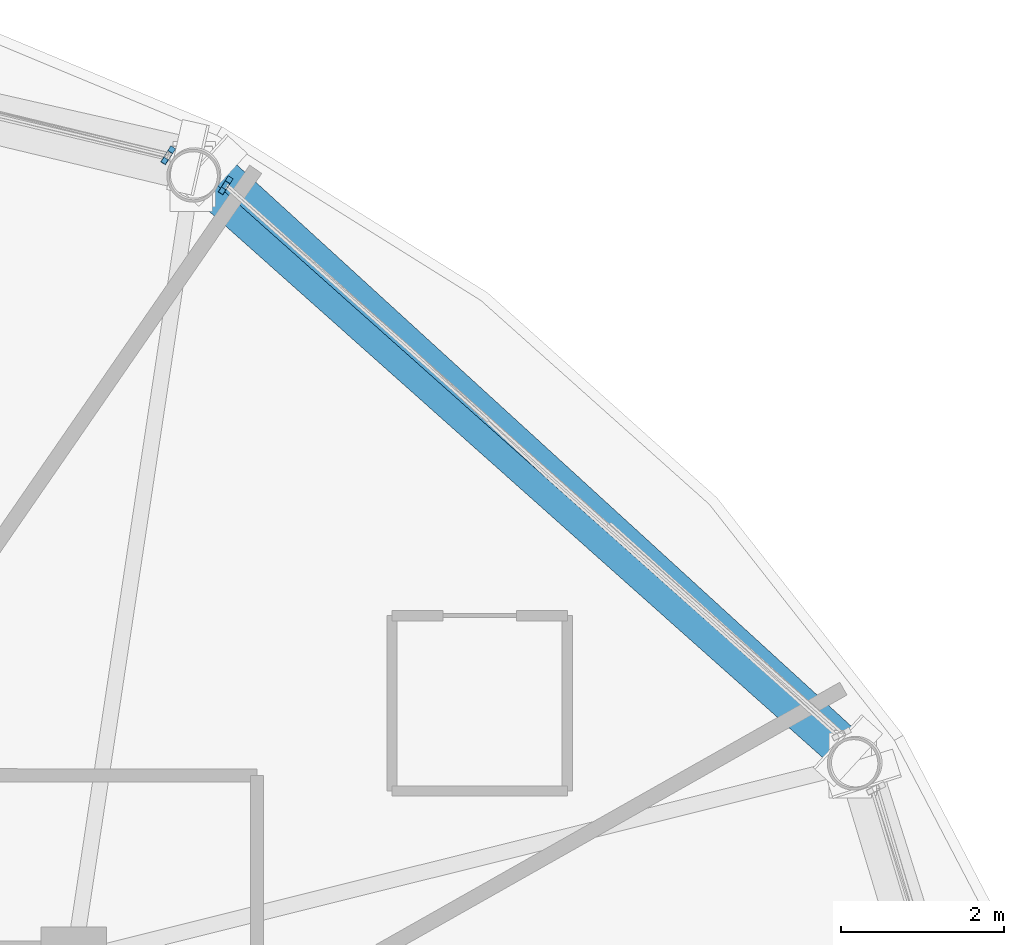
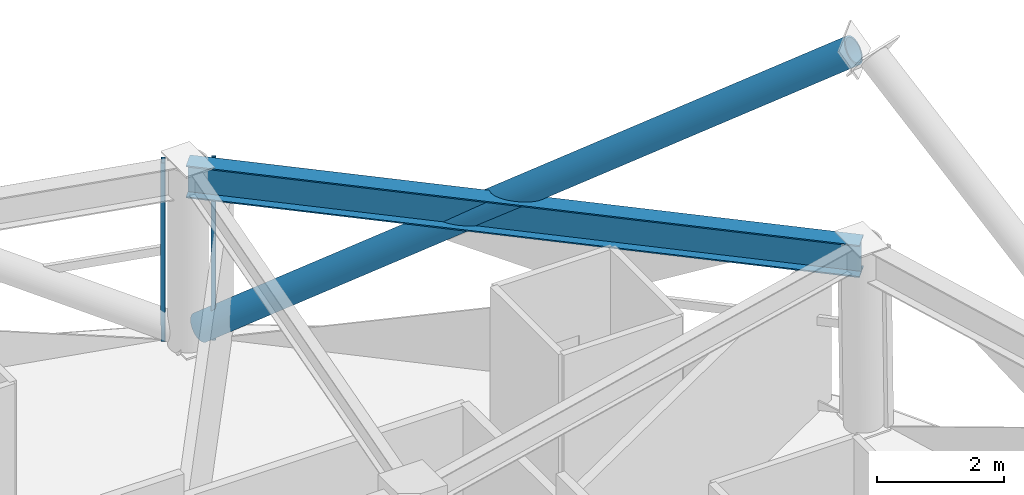
# One storey, part 7 of 18: 3 members, 1 beam, 2 elements without a shape of their own.
"""IFC4 building model written with IfcOpenShell, lengths in metres."""

from ifc_helpers import new_model, si_unit, direction, frame, origin, origin_2d, place, context, subcontext, project, spatial, hollow_rectangle, hollow_circle, i_section, extrude, material, layer, layer_set, material_profile, profile_set, type_object, element, aggregate, save


model = new_model("IFC4")

# Units and contexts
model_context = context("Model", 3, precision=1e-05, world=origin(), true_north=direction((0.0, 1.0)))
body_context = subcontext(model_context, "Body", "Model", "MODEL_VIEW")
ifc_project = project(units=[si_unit("LENGTHUNIT", "METRE"), si_unit("AREAUNIT", "SQUARE_METRE"), si_unit("VOLUMEUNIT", "CUBIC_METRE"), si_unit("PLANEANGLEUNIT", "RADIAN"), si_unit("MASSUNIT", "GRAM", prefix="KILO")], contexts=[model_context])

# Site, building, storey
site_placement = place(None, origin())
site = spatial("IfcSite", under=ifc_project, at=site_placement, CompositionType="ELEMENT")
building_placement = place(site_placement, origin())
building = spatial("IfcBuilding", under=site, at=building_placement, Name="Vantalir Tower", CompositionType="ELEMENT")
storey_placement = place(building_placement, frame((0.0, 0.0, 212.39990234375)))
storey = spatial("IfcBuildingStorey", under=building, at=storey_placement, Name="L53", CompositionType="ELEMENT", Elevation=212.39990234375)

# Beam
ifc_material_1 = material(Name="Steel S460", Category="steel")
ifc_material_profile_1 = material_profile(ifc_material_1, i_section(OverallWidth=0.306884765625, OverallDepth=0.6201171875, WebThickness=0.01416015625, FlangeThickness=0.023681640625, at=origin_2d()), Name="Steel S460")
ifc_profile_set_1 = profile_set([ifc_material_profile_1], Name="Steel S460")
beam_type = type_object("IfcBeamType", Name="BM-RG-610x305", PredefinedType="USERDEFINED", material=ifc_profile_set_1)
beam_placement = place(storey_placement, frame((50.6279296875, 34.830078125, 3.260009765625), z_axis=(-0.746892625531, 0.664944663809, 0.0), x_axis=(-0.664944663809, -0.746892625531, 0.0)))
element("IfcBeam", 1, at=beam_placement, inside=storey, type_object=beam_type, Name="L53 Circumferential Ring Girder 02", ObjectType="GIRDER", PredefinedType="USERDEFINED", context=body_context, shape_type="SweptSolid", body=[
    extrude(i_section(OverallWidth=0.306884765625, OverallDepth=0.6201171875, WebThickness=0.01416015625, FlangeThickness=0.023681640625, at=origin_2d()), origin(), (0.0, 0.0, 1.0), 10.823486328125),
])

# Curtain wall, member
ifc_material_2 = material(Name="Champagne-silver PVDF aluminium and double-silver Low-E glass", Category="aluminium")
ifc_layer = layer(ifc_material_2, 0.2099609375)
ifc_layer_set = layer_set([ifc_layer], Name="Champagne-silver PVDF aluminium and double-silver Low-E glass")
curtain_wall_type = type_object("IfcCurtainWallType", Name="CW-DIAMOND-Z3", PredefinedType="USERDEFINED", material=ifc_layer_set)
curtain_wall_1_placement = place(storey_placement, origin())
curtain_wall_1 = element("IfcCurtainWall", 2, at=curtain_wall_1_placement, inside=storey, type_object=curtain_wall_type, Name="L53 Quilted Pyramid-Diamond Curtain Wall S02", ObjectType="UNITISED CURTAIN WALL", PredefinedType="USERDEFINED")
ifc_material_3 = material(Name="Champagne-silver PVDF aluminium 6063-T6", Category="aluminium")
ifc_material_profile_2 = material_profile(ifc_material_3, hollow_rectangle(XDim=0.070068359375, YDim=0.1650390625, WallThickness=0.00390625, at=origin_2d()), Name="Champagne-silver PVDF aluminium 6063-T6")
ifc_profile_set_2 = profile_set([ifc_material_profile_2], Name="Champagne-silver PVDF aluminium 6063-T6")
member_type_1 = type_object("IfcMemberType", Name="CWM-165x70", PredefinedType="MULLION", material=ifc_profile_set_2)
member_1_placement = place(storey_placement, frame((42.98193359375, 41.97607421875, 0.045166015625), z_axis=(-0.010591447106, -0.016693804048, 0.999804549977), x_axis=(0.844391149061, -0.535727157598, 0.0)))
member_1 = element("IfcMember", 3, at=member_1_placement, type_object=member_type_1, Name="CW-L53-S02 Mullion 2", PredefinedType="MULLION", context=body_context, shape_type="SweptSolid", body=[
    extrude(hollow_rectangle(XDim=0.070068359375, YDim=0.1650390625, WallThickness=0.00390625, at=origin_2d()), origin(), (0.0, 0.0, 1.0), 3.480712890625),
])
aggregate(curtain_wall_1, [member_1])

curtain_wall_2_placement = place(storey_placement, origin())
curtain_wall_2 = element("IfcCurtainWall", 4, at=curtain_wall_2_placement, inside=storey, type_object=curtain_wall_type, Name="L53 Quilted Pyramid-Diamond Curtain Wall S03", ObjectType="UNITISED CURTAIN WALL", PredefinedType="USERDEFINED")
member_2_placement = place(storey_placement, frame((42.277099609375, 42.343994140625, 0.045166015625), z_axis=(-0.010661581193, -0.016693791605, 0.999803804758), x_axis=(0.842785503747, -0.538249565419, 0.0)))
member_2 = element("IfcMember", 5, at=member_2_placement, type_object=member_type_1, Name="CW-L53-S03 Mullion 1", PredefinedType="MULLION", context=body_context, shape_type="SweptSolid", body=[
    extrude(hollow_rectangle(XDim=0.070068359375, YDim=0.1650390625, WallThickness=0.00390625, at=origin_2d()), origin(), (0.0, 0.0, 1.0), 3.480712890625),
])
aggregate(curtain_wall_2, [member_2])

# Member
ifc_material_profile_3 = material_profile(ifc_material_1, hollow_circle(Radius=0.25, WallThickness=0.031982421875, at=origin_2d()), Name="Steel S460")
ifc_profile_set_3 = profile_set([ifc_material_profile_3], Name="Steel S460")
member_type_2 = type_object("IfcMemberType", Name="MEM-DB-500x32", PredefinedType="BRACE", material=ifc_profile_set_3)
member_3_placement = place(storey_placement, frame((42.81201171875, 42.125, 0.201171875), z_axis=(0.617172057275, -0.563854372093, 0.548786751653), x_axis=(0.674497304434, 0.738277309899, 0.0)))
element("IfcMember", 6, at=member_3_placement, inside=storey, type_object=member_type_2, Name="L53 Perimeter S460 Diagrid Brace R07R", PredefinedType="BRACE", context=body_context, shape_type="SweptSolid", body=[
    extrude(hollow_circle(Radius=0.25, WallThickness=0.031982421875, at=origin_2d()), origin(), (0.0, 0.0, 1.0), 12.60595703125),
])

save(model, "model.ifc")
